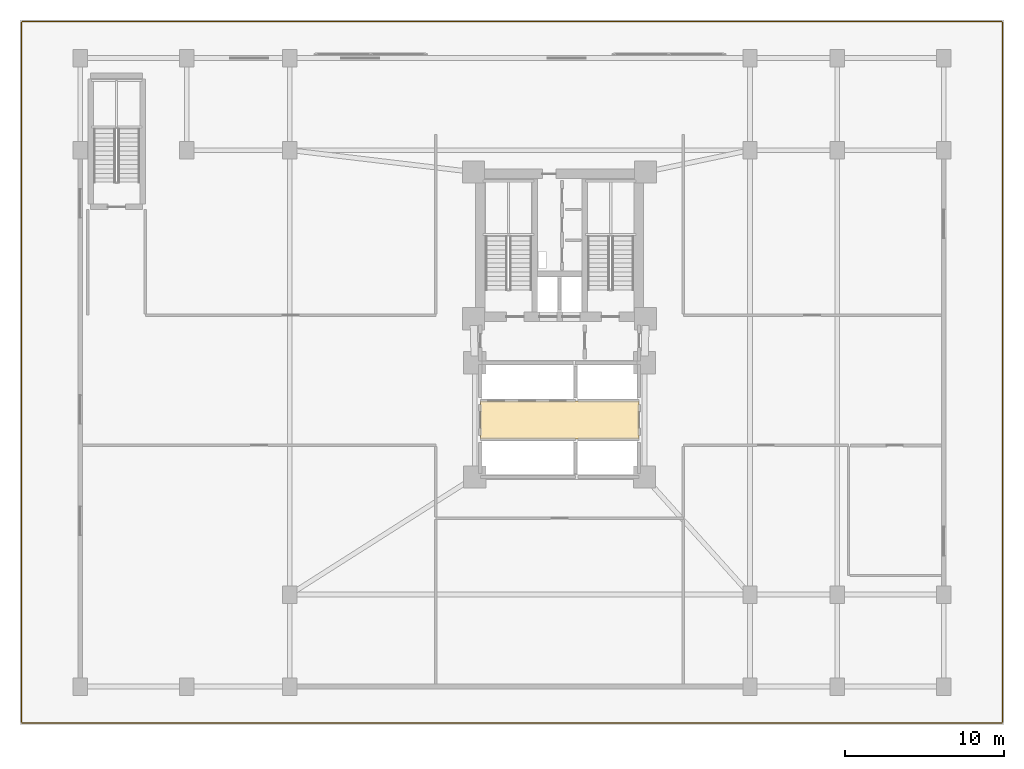
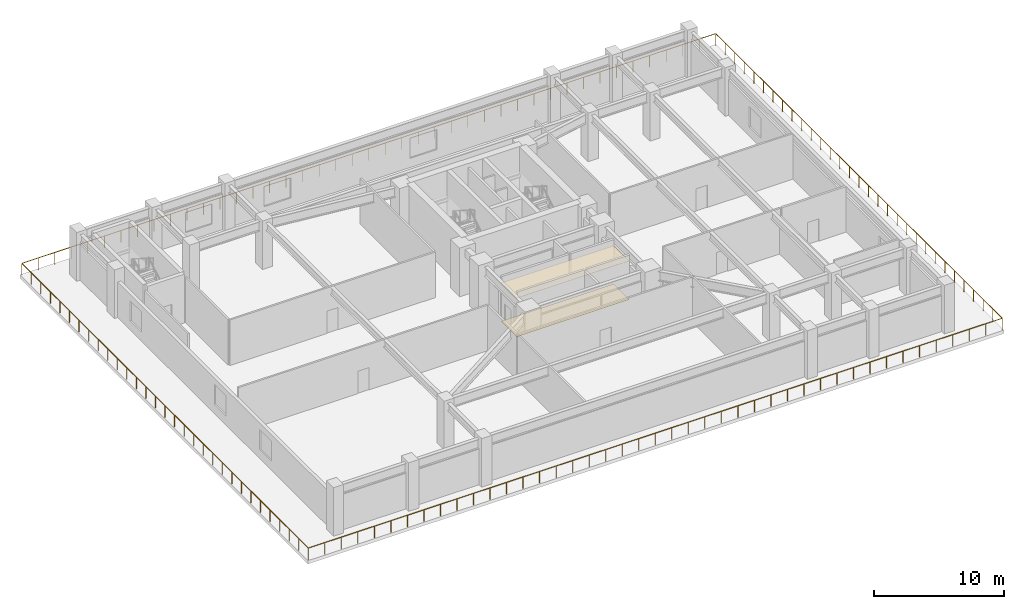
# One storey, part 9 of 10: 2 coverings, 1 railing.
"""IFC4 building model written with IfcOpenShell, lengths in metres."""

from ifc_helpers import new_model, si_unit, direction, frame, origin, origin_2d, place, context, subcontext, project, spatial, polyline, rectangle, outline, extrude, material, layer, layer_set, type_object, element, save


model = new_model("IFC4")

# Units and contexts
model_context = context("Model", 3, precision=1e-05, world=origin(), true_north=direction((0.0, 1.0)))
body_context = subcontext(model_context, "Body", "Model", "MODEL_VIEW")
ifc_project = project(units=[si_unit("LENGTHUNIT", "METRE"), si_unit("AREAUNIT", "SQUARE_METRE"), si_unit("VOLUMEUNIT", "CUBIC_METRE"), si_unit("PLANEANGLEUNIT", "RADIAN"), si_unit("MASSUNIT", "GRAM", prefix="KILO")], contexts=[model_context])

# Site, building, storey
site_placement = place(None, origin())
site = spatial("IfcSite", under=ifc_project, at=site_placement, CompositionType="ELEMENT")
building_placement = place(site_placement, origin())
building = spatial("IfcBuilding", under=site, at=building_placement, Name="Varnakorn Sky Granary", CompositionType="ELEMENT")
storey_placement = place(building_placement, frame((0.0, 0.0, 13.800048828125)))
storey = spatial("IfcBuildingStorey", under=building, at=storey_placement, Name="L03", CompositionType="ELEMENT", Elevation=13.800048828125)

# Coverings
ifc_material_1 = material(Name="Perforated Acoustic Mineral-Fibre Ceiling", Category="gypsum")
ifc_layer_1 = layer(ifc_material_1, 0.02001953125, Name="Perforated Acoustic Mineral-Fibre Ceiling")
ifc_layer_set_1 = layer_set([ifc_layer_1], Name="Perforated Acoustic Mineral-Fibre Ceiling")
covering_type_1 = type_object("IfcCoveringType", Name="CV-CEIL-20", PredefinedType="CEILING", material=ifc_layer_set_1)
covering_1_placement = place(storey_placement, frame((0.0, 0.0, 3.6298828125)))
element("IfcCovering", 1, at=covering_1_placement, inside=storey, type_object=covering_type_1, Name="Lift Lobby Perforated Acoustic Ceiling L03", PredefinedType="CEILING", context=body_context, shape_type="SweptSolid", body=[
    extrude(outline(polyline([(-2.0, -4.199951171875), (8.0, -4.199951171875), (8.0, -1.800048828125), (-2.0, -1.800048828125), (-2.0, -4.199951171875)])), origin(), (0.0, 0.0, 1.0), 0.02001953125),
])
ifc_material_2 = material(Name="Honed Epoxy Terrazzo Topping", Category="concrete")
ifc_layer_2 = layer(ifc_material_2, 0.030029296875, Name="Honed Epoxy Terrazzo Topping")
ifc_layer_set_2 = layer_set([ifc_layer_2], Name="Honed Epoxy Terrazzo Topping")
covering_type_2 = type_object("IfcCoveringType", Name="CV-FLOR-30", PredefinedType="FLOORING", material=ifc_layer_set_2)
covering_2_placement = place(storey_placement, origin())
element("IfcCovering", 2, at=covering_2_placement, inside=storey, type_object=covering_type_2, Name="Lift Lobby Terrazzo Floor Finish L03", PredefinedType="FLOORING", context=body_context, shape_type="SweptSolid", body=[
    extrude(outline(polyline([(-2.0, -4.199951171875), (8.0, -4.199951171875), (8.0, -1.800048828125), (-2.0, -1.800048828125), (-2.0, -4.199951171875)])), origin(), (0.0, 0.0, 1.0), 0.030029296875),
])

# Railing
ifc_material_3 = material(Name="Anodised Bronze Aluminium Alloy 6063-T6", Category="aluminium")
railing_type = type_object("IfcRailingType", Name="RL-BAL-1120", PredefinedType="BALUSTRADE", material=ifc_material_3)
railing_placement = place(storey_placement, frame((-30.89990234375, -22.10009765625, 0.0)))
element("IfcRailing", 3, at=railing_placement, inside=storey, type_object=railing_type, Name="Podium Slab Edge Safety Guard L03", PredefinedType="BALUSTRADE", context=body_context, shape_type="SweptSolid", body=[
    extrude(rectangle(XDim=0.048095703125, YDim=0.048095703125, at=origin_2d()), frame((0.028076171875, 0.0, 1.09619140625), z_axis=(1.0, 0.0, 0.0), x_axis=(0.0, 1.0, 0.0)), (0.0, 0.0, 1.0), 61.743896484375),
    extrude(rectangle(XDim=0.048095703125, YDim=0.048095703125, at=origin_2d()), frame((61.7998046875, 0.028076171875, 1.09619140625), z_axis=(0.0, 1.0, 0.0), x_axis=(-1.0, 0.0, 0.0)), (0.0, 0.0, 1.0), 44.144287109375),
    extrude(rectangle(XDim=0.048095703125, YDim=0.048095703125, at=origin_2d()), frame((61.771728515625, 44.2001953125, 1.09619140625), z_axis=(-1.0, 0.0, 0.0), x_axis=(0.0, -1.0, 0.0)), (0.0, 0.0, 1.0), 61.743896484375),
    extrude(rectangle(XDim=0.048095703125, YDim=0.048095703125, at=origin_2d()), frame((0.0, 44.172119140625, 1.09619140625), z_axis=(0.0, -1.0, 0.0), x_axis=(1.0, 0.0, 0.0)), (0.0, 0.0, 1.0), 44.144287109375),
    extrude(rectangle(XDim=0.0419921875, YDim=0.0419921875, at=origin_2d()), origin(), (0.0, 0.0, 1.0), 1.068115234375),
    extrude(rectangle(XDim=0.0419921875, YDim=0.0419921875, at=origin_2d()), frame((1.471435546875, 0.0, 0.0)), (0.0, 0.0, 1.0), 1.068115234375),
    extrude(rectangle(XDim=0.0419921875, YDim=0.0419921875, at=origin_2d()), frame((2.94287109375, 0.0, 0.0)), (0.0, 0.0, 1.0), 1.068115234375),
    extrude(rectangle(XDim=0.0419921875, YDim=0.0419921875, at=origin_2d()), frame((4.414306640625, 0.0, 0.0)), (0.0, 0.0, 1.0), 1.068115234375),
    extrude(rectangle(XDim=0.0419921875, YDim=0.0419921875, at=origin_2d()), frame((5.8857421875, 0.0, 0.0)), (0.0, 0.0, 1.0), 1.068115234375),
    extrude(rectangle(XDim=0.0419921875, YDim=0.0419921875, at=origin_2d()), frame((7.357177734375, 0.0, 0.0)), (0.0, 0.0, 1.0), 1.068115234375),
    extrude(rectangle(XDim=0.0419921875, YDim=0.0419921875, at=origin_2d()), frame((8.82861328125, 0.0, 0.0)), (0.0, 0.0, 1.0), 1.068115234375),
    extrude(rectangle(XDim=0.0419921875, YDim=0.0419921875, at=origin_2d()), frame((10.300048828125, 0.0, 0.0)), (0.0, 0.0, 1.0), 1.068115234375),
    extrude(rectangle(XDim=0.0419921875, YDim=0.0419921875, at=origin_2d()), frame((11.771484375, 0.0, 0.0)), (0.0, 0.0, 1.0), 1.068115234375),
    extrude(rectangle(XDim=0.0419921875, YDim=0.0419921875, at=origin_2d()), frame((13.242919921875, 0.0, 0.0)), (0.0, 0.0, 1.0), 1.068115234375),
    extrude(rectangle(XDim=0.0419921875, YDim=0.0419921875, at=origin_2d()), frame((14.71435546875, 0.0, 0.0)), (0.0, 0.0, 1.0), 1.068115234375),
    extrude(rectangle(XDim=0.0419921875, YDim=0.0419921875, at=origin_2d()), frame((16.185546875, 0.0, 0.0)), (0.0, 0.0, 1.0), 1.068115234375),
    extrude(rectangle(XDim=0.0419921875, YDim=0.0419921875, at=origin_2d()), frame((17.656982421875, 0.0, 0.0)), (0.0, 0.0, 1.0), 1.068115234375),
    extrude(rectangle(XDim=0.0419921875, YDim=0.0419921875, at=origin_2d()), frame((19.12841796875, 0.0, 0.0)), (0.0, 0.0, 1.0), 1.068115234375),
    extrude(rectangle(XDim=0.0419921875, YDim=0.0419921875, at=origin_2d()), frame((20.599853515625, 0.0, 0.0)), (0.0, 0.0, 1.0), 1.068115234375),
    extrude(rectangle(XDim=0.0419921875, YDim=0.0419921875, at=origin_2d()), frame((22.0712890625, 0.0, 0.0)), (0.0, 0.0, 1.0), 1.068115234375),
    extrude(rectangle(XDim=0.0419921875, YDim=0.0419921875, at=origin_2d()), frame((23.542724609375, 0.0, 0.0)), (0.0, 0.0, 1.0), 1.068115234375),
    extrude(rectangle(XDim=0.0419921875, YDim=0.0419921875, at=origin_2d()), frame((25.01416015625, 0.0, 0.0)), (0.0, 0.0, 1.0), 1.068115234375),
    extrude(rectangle(XDim=0.0419921875, YDim=0.0419921875, at=origin_2d()), frame((26.485595703125, 0.0, 0.0)), (0.0, 0.0, 1.0), 1.068115234375),
    extrude(rectangle(XDim=0.0419921875, YDim=0.0419921875, at=origin_2d()), frame((27.95703125, 0.0, 0.0)), (0.0, 0.0, 1.0), 1.068115234375),
    extrude(rectangle(XDim=0.0419921875, YDim=0.0419921875, at=origin_2d()), frame((29.428466796875, 0.0, 0.0)), (0.0, 0.0, 1.0), 1.068115234375),
    extrude(rectangle(XDim=0.0419921875, YDim=0.0419921875, at=origin_2d()), frame((30.89990234375, 0.0, 0.0)), (0.0, 0.0, 1.0), 1.068115234375),
    extrude(rectangle(XDim=0.0419921875, YDim=0.0419921875, at=origin_2d()), frame((32.371337890625, 0.0, 0.0)), (0.0, 0.0, 1.0), 1.068115234375),
    extrude(rectangle(XDim=0.0419921875, YDim=0.0419921875, at=origin_2d()), frame((33.8427734375, 0.0, 0.0)), (0.0, 0.0, 1.0), 1.068115234375),
    extrude(rectangle(XDim=0.0419921875, YDim=0.0419921875, at=origin_2d()), frame((35.314208984375, 0.0, 0.0)), (0.0, 0.0, 1.0), 1.068115234375),
    extrude(rectangle(XDim=0.0419921875, YDim=0.0419921875, at=origin_2d()), frame((36.78564453125, 0.0, 0.0)), (0.0, 0.0, 1.0), 1.068115234375),
    extrude(rectangle(XDim=0.0419921875, YDim=0.0419921875, at=origin_2d()), frame((38.257080078125, 0.0, 0.0)), (0.0, 0.0, 1.0), 1.068115234375),
    extrude(rectangle(XDim=0.0419921875, YDim=0.0419921875, at=origin_2d()), frame((39.728515625, 0.0, 0.0)), (0.0, 0.0, 1.0), 1.068115234375),
    extrude(rectangle(XDim=0.0419921875, YDim=0.0419921875, at=origin_2d()), frame((41.199951171875, 0.0, 0.0)), (0.0, 0.0, 1.0), 1.068115234375),
    extrude(rectangle(XDim=0.0419921875, YDim=0.0419921875, at=origin_2d()), frame((42.67138671875, 0.0, 0.0)), (0.0, 0.0, 1.0), 1.068115234375),
    extrude(rectangle(XDim=0.0419921875, YDim=0.0419921875, at=origin_2d()), frame((44.142822265625, 0.0, 0.0)), (0.0, 0.0, 1.0), 1.068115234375),
    extrude(rectangle(XDim=0.0419921875, YDim=0.0419921875, at=origin_2d()), frame((45.6142578125, 0.0, 0.0)), (0.0, 0.0, 1.0), 1.068115234375),
    extrude(rectangle(XDim=0.0419921875, YDim=0.0419921875, at=origin_2d()), frame((47.08544921875, 0.0, 0.0)), (0.0, 0.0, 1.0), 1.068115234375),
    extrude(rectangle(XDim=0.0419921875, YDim=0.0419921875, at=origin_2d()), frame((48.556884765625, 0.0, 0.0)), (0.0, 0.0, 1.0), 1.068115234375),
    extrude(rectangle(XDim=0.0419921875, YDim=0.0419921875, at=origin_2d()), frame((50.0283203125, 0.0, 0.0)), (0.0, 0.0, 1.0), 1.068115234375),
    extrude(rectangle(XDim=0.0419921875, YDim=0.0419921875, at=origin_2d()), frame((51.499755859375, 0.0, 0.0)), (0.0, 0.0, 1.0), 1.068115234375),
    extrude(rectangle(XDim=0.0419921875, YDim=0.0419921875, at=origin_2d()), frame((52.97119140625, 0.0, 0.0)), (0.0, 0.0, 1.0), 1.068115234375),
    extrude(rectangle(XDim=0.0419921875, YDim=0.0419921875, at=origin_2d()), frame((54.442626953125, 0.0, 0.0)), (0.0, 0.0, 1.0), 1.068115234375),
    extrude(rectangle(XDim=0.0419921875, YDim=0.0419921875, at=origin_2d()), frame((55.9140625, 0.0, 0.0)), (0.0, 0.0, 1.0), 1.068115234375),
    extrude(rectangle(XDim=0.0419921875, YDim=0.0419921875, at=origin_2d()), frame((57.385498046875, 0.0, 0.0)), (0.0, 0.0, 1.0), 1.068115234375),
    extrude(rectangle(XDim=0.0419921875, YDim=0.0419921875, at=origin_2d()), frame((58.85693359375, 0.0, 0.0)), (0.0, 0.0, 1.0), 1.068115234375),
    extrude(rectangle(XDim=0.0419921875, YDim=0.0419921875, at=origin_2d()), frame((60.328369140625, 0.0, 0.0)), (0.0, 0.0, 1.0), 1.068115234375),
    extrude(rectangle(XDim=0.0419921875, YDim=0.0419921875, at=origin_2d()), frame((61.7998046875, 0.0, 0.0)), (0.0, 0.0, 1.0), 1.068115234375),
    extrude(rectangle(XDim=0.0419921875, YDim=0.0419921875, at=origin_2d()), frame((61.7998046875, 1.473388671875, 0.0)), (0.0, 0.0, 1.0), 1.068115234375),
    extrude(rectangle(XDim=0.0419921875, YDim=0.0419921875, at=origin_2d()), frame((61.7998046875, 2.94677734375, 0.0)), (0.0, 0.0, 1.0), 1.068115234375),
    extrude(rectangle(XDim=0.0419921875, YDim=0.0419921875, at=origin_2d()), frame((61.7998046875, 4.419921875, 0.0)), (0.0, 0.0, 1.0), 1.068115234375),
    extrude(rectangle(XDim=0.0419921875, YDim=0.0419921875, at=origin_2d()), frame((61.7998046875, 5.893310546875, 0.0)), (0.0, 0.0, 1.0), 1.068115234375),
    extrude(rectangle(XDim=0.0419921875, YDim=0.0419921875, at=origin_2d()), frame((61.7998046875, 7.36669921875, 0.0)), (0.0, 0.0, 1.0), 1.068115234375),
    extrude(rectangle(XDim=0.0419921875, YDim=0.0419921875, at=origin_2d()), frame((61.7998046875, 8.840087890625, 0.0)), (0.0, 0.0, 1.0), 1.068115234375),
    extrude(rectangle(XDim=0.0419921875, YDim=0.0419921875, at=origin_2d()), frame((61.7998046875, 10.3134765625, 0.0)), (0.0, 0.0, 1.0), 1.068115234375),
    extrude(rectangle(XDim=0.0419921875, YDim=0.0419921875, at=origin_2d()), frame((61.7998046875, 11.78662109375, 0.0)), (0.0, 0.0, 1.0), 1.068115234375),
    extrude(rectangle(XDim=0.0419921875, YDim=0.0419921875, at=origin_2d()), frame((61.7998046875, 13.260009765625, 0.0)), (0.0, 0.0, 1.0), 1.068115234375),
    extrude(rectangle(XDim=0.0419921875, YDim=0.0419921875, at=origin_2d()), frame((61.7998046875, 14.7333984375, 0.0)), (0.0, 0.0, 1.0), 1.068115234375),
    extrude(rectangle(XDim=0.0419921875, YDim=0.0419921875, at=origin_2d()), frame((61.7998046875, 16.206787109375, 0.0)), (0.0, 0.0, 1.0), 1.068115234375),
    extrude(rectangle(XDim=0.0419921875, YDim=0.0419921875, at=origin_2d()), frame((61.7998046875, 17.68017578125, 0.0)), (0.0, 0.0, 1.0), 1.068115234375),
    extrude(rectangle(XDim=0.0419921875, YDim=0.0419921875, at=origin_2d()), frame((61.7998046875, 19.1533203125, 0.0)), (0.0, 0.0, 1.0), 1.068115234375),
    extrude(rectangle(XDim=0.0419921875, YDim=0.0419921875, at=origin_2d()), frame((61.7998046875, 20.626708984375, 0.0)), (0.0, 0.0, 1.0), 1.068115234375),
    extrude(rectangle(XDim=0.0419921875, YDim=0.0419921875, at=origin_2d()), frame((61.7998046875, 22.10009765625, 0.0)), (0.0, 0.0, 1.0), 1.068115234375),
    extrude(rectangle(XDim=0.0419921875, YDim=0.0419921875, at=origin_2d()), frame((61.7998046875, 23.573486328125, 0.0)), (0.0, 0.0, 1.0), 1.068115234375),
    extrude(rectangle(XDim=0.0419921875, YDim=0.0419921875, at=origin_2d()), frame((61.7998046875, 25.046875, 0.0)), (0.0, 0.0, 1.0), 1.068115234375),
    extrude(rectangle(XDim=0.0419921875, YDim=0.0419921875, at=origin_2d()), frame((61.7998046875, 26.52001953125, 0.0)), (0.0, 0.0, 1.0), 1.068115234375),
    extrude(rectangle(XDim=0.0419921875, YDim=0.0419921875, at=origin_2d()), frame((61.7998046875, 27.993408203125, 0.0)), (0.0, 0.0, 1.0), 1.068115234375),
    extrude(rectangle(XDim=0.0419921875, YDim=0.0419921875, at=origin_2d()), frame((61.7998046875, 29.466796875, 0.0)), (0.0, 0.0, 1.0), 1.068115234375),
    extrude(rectangle(XDim=0.0419921875, YDim=0.0419921875, at=origin_2d()), frame((61.7998046875, 30.940185546875, 0.0)), (0.0, 0.0, 1.0), 1.068115234375),
    extrude(rectangle(XDim=0.0419921875, YDim=0.0419921875, at=origin_2d()), frame((61.7998046875, 32.41357421875, 0.0)), (0.0, 0.0, 1.0), 1.068115234375),
    extrude(rectangle(XDim=0.0419921875, YDim=0.0419921875, at=origin_2d()), frame((61.7998046875, 33.88671875, 0.0)), (0.0, 0.0, 1.0), 1.068115234375),
    extrude(rectangle(XDim=0.0419921875, YDim=0.0419921875, at=origin_2d()), frame((61.7998046875, 35.360107421875, 0.0)), (0.0, 0.0, 1.0), 1.068115234375),
    extrude(rectangle(XDim=0.0419921875, YDim=0.0419921875, at=origin_2d()), frame((61.7998046875, 36.83349609375, 0.0)), (0.0, 0.0, 1.0), 1.068115234375),
    extrude(rectangle(XDim=0.0419921875, YDim=0.0419921875, at=origin_2d()), frame((61.7998046875, 38.306884765625, 0.0)), (0.0, 0.0, 1.0), 1.068115234375),
    extrude(rectangle(XDim=0.0419921875, YDim=0.0419921875, at=origin_2d()), frame((61.7998046875, 39.7802734375, 0.0)), (0.0, 0.0, 1.0), 1.068115234375),
    extrude(rectangle(XDim=0.0419921875, YDim=0.0419921875, at=origin_2d()), frame((61.7998046875, 41.25341796875, 0.0)), (0.0, 0.0, 1.0), 1.068115234375),
    extrude(rectangle(XDim=0.0419921875, YDim=0.0419921875, at=origin_2d()), frame((61.7998046875, 42.726806640625, 0.0)), (0.0, 0.0, 1.0), 1.068115234375),
    extrude(rectangle(XDim=0.0419921875, YDim=0.0419921875, at=origin_2d()), frame((61.7998046875, 44.2001953125, 0.0)), (0.0, 0.0, 1.0), 1.068115234375),
    extrude(rectangle(XDim=0.0419921875, YDim=0.0419921875, at=origin_2d()), frame((60.328369140625, 44.2001953125, 0.0)), (0.0, 0.0, 1.0), 1.068115234375),
    extrude(rectangle(XDim=0.0419921875, YDim=0.0419921875, at=origin_2d()), frame((58.85693359375, 44.2001953125, 0.0)), (0.0, 0.0, 1.0), 1.068115234375),
    extrude(rectangle(XDim=0.0419921875, YDim=0.0419921875, at=origin_2d()), frame((57.385498046875, 44.2001953125, 0.0)), (0.0, 0.0, 1.0), 1.068115234375),
    extrude(rectangle(XDim=0.0419921875, YDim=0.0419921875, at=origin_2d()), frame((55.9140625, 44.2001953125, 0.0)), (0.0, 0.0, 1.0), 1.068115234375),
    extrude(rectangle(XDim=0.0419921875, YDim=0.0419921875, at=origin_2d()), frame((54.442626953125, 44.2001953125, 0.0)), (0.0, 0.0, 1.0), 1.068115234375),
    extrude(rectangle(XDim=0.0419921875, YDim=0.0419921875, at=origin_2d()), frame((52.97119140625, 44.2001953125, 0.0)), (0.0, 0.0, 1.0), 1.068115234375),
    extrude(rectangle(XDim=0.0419921875, YDim=0.0419921875, at=origin_2d()), frame((51.499755859375, 44.2001953125, 0.0)), (0.0, 0.0, 1.0), 1.068115234375),
    extrude(rectangle(XDim=0.0419921875, YDim=0.0419921875, at=origin_2d()), frame((50.0283203125, 44.2001953125, 0.0)), (0.0, 0.0, 1.0), 1.068115234375),
    extrude(rectangle(XDim=0.0419921875, YDim=0.0419921875, at=origin_2d()), frame((48.556884765625, 44.2001953125, 0.0)), (0.0, 0.0, 1.0), 1.068115234375),
    extrude(rectangle(XDim=0.0419921875, YDim=0.0419921875, at=origin_2d()), frame((47.08544921875, 44.2001953125, 0.0)), (0.0, 0.0, 1.0), 1.068115234375),
    extrude(rectangle(XDim=0.0419921875, YDim=0.0419921875, at=origin_2d()), frame((45.6142578125, 44.2001953125, 0.0)), (0.0, 0.0, 1.0), 1.068115234375),
    extrude(rectangle(XDim=0.0419921875, YDim=0.0419921875, at=origin_2d()), frame((44.142822265625, 44.2001953125, 0.0)), (0.0, 0.0, 1.0), 1.068115234375),
    extrude(rectangle(XDim=0.0419921875, YDim=0.0419921875, at=origin_2d()), frame((42.67138671875, 44.2001953125, 0.0)), (0.0, 0.0, 1.0), 1.068115234375),
    extrude(rectangle(XDim=0.0419921875, YDim=0.0419921875, at=origin_2d()), frame((41.199951171875, 44.2001953125, 0.0)), (0.0, 0.0, 1.0), 1.068115234375),
    extrude(rectangle(XDim=0.0419921875, YDim=0.0419921875, at=origin_2d()), frame((39.728515625, 44.2001953125, 0.0)), (0.0, 0.0, 1.0), 1.068115234375),
    extrude(rectangle(XDim=0.0419921875, YDim=0.0419921875, at=origin_2d()), frame((38.257080078125, 44.2001953125, 0.0)), (0.0, 0.0, 1.0), 1.068115234375),
    extrude(rectangle(XDim=0.0419921875, YDim=0.0419921875, at=origin_2d()), frame((36.78564453125, 44.2001953125, 0.0)), (0.0, 0.0, 1.0), 1.068115234375),
    extrude(rectangle(XDim=0.0419921875, YDim=0.0419921875, at=origin_2d()), frame((35.314208984375, 44.2001953125, 0.0)), (0.0, 0.0, 1.0), 1.068115234375),
    extrude(rectangle(XDim=0.0419921875, YDim=0.0419921875, at=origin_2d()), frame((33.8427734375, 44.2001953125, 0.0)), (0.0, 0.0, 1.0), 1.068115234375),
    extrude(rectangle(XDim=0.0419921875, YDim=0.0419921875, at=origin_2d()), frame((32.371337890625, 44.2001953125, 0.0)), (0.0, 0.0, 1.0), 1.068115234375),
    extrude(rectangle(XDim=0.0419921875, YDim=0.0419921875, at=origin_2d()), frame((30.89990234375, 44.2001953125, 0.0)), (0.0, 0.0, 1.0), 1.068115234375),
    extrude(rectangle(XDim=0.0419921875, YDim=0.0419921875, at=origin_2d()), frame((29.428466796875, 44.2001953125, 0.0)), (0.0, 0.0, 1.0), 1.068115234375),
    extrude(rectangle(XDim=0.0419921875, YDim=0.0419921875, at=origin_2d()), frame((27.95703125, 44.2001953125, 0.0)), (0.0, 0.0, 1.0), 1.068115234375),
    extrude(rectangle(XDim=0.0419921875, YDim=0.0419921875, at=origin_2d()), frame((26.485595703125, 44.2001953125, 0.0)), (0.0, 0.0, 1.0), 1.068115234375),
    extrude(rectangle(XDim=0.0419921875, YDim=0.0419921875, at=origin_2d()), frame((25.01416015625, 44.2001953125, 0.0)), (0.0, 0.0, 1.0), 1.068115234375),
    extrude(rectangle(XDim=0.0419921875, YDim=0.0419921875, at=origin_2d()), frame((23.542724609375, 44.2001953125, 0.0)), (0.0, 0.0, 1.0), 1.068115234375),
    extrude(rectangle(XDim=0.0419921875, YDim=0.0419921875, at=origin_2d()), frame((22.0712890625, 44.2001953125, 0.0)), (0.0, 0.0, 1.0), 1.068115234375),
    extrude(rectangle(XDim=0.0419921875, YDim=0.0419921875, at=origin_2d()), frame((20.599853515625, 44.2001953125, 0.0)), (0.0, 0.0, 1.0), 1.068115234375),
    extrude(rectangle(XDim=0.0419921875, YDim=0.0419921875, at=origin_2d()), frame((19.12841796875, 44.2001953125, 0.0)), (0.0, 0.0, 1.0), 1.068115234375),
    extrude(rectangle(XDim=0.0419921875, YDim=0.0419921875, at=origin_2d()), frame((17.656982421875, 44.2001953125, 0.0)), (0.0, 0.0, 1.0), 1.068115234375),
    extrude(rectangle(XDim=0.0419921875, YDim=0.0419921875, at=origin_2d()), frame((16.185546875, 44.2001953125, 0.0)), (0.0, 0.0, 1.0), 1.068115234375),
    extrude(rectangle(XDim=0.0419921875, YDim=0.0419921875, at=origin_2d()), frame((14.71435546875, 44.2001953125, 0.0)), (0.0, 0.0, 1.0), 1.068115234375),
    extrude(rectangle(XDim=0.0419921875, YDim=0.0419921875, at=origin_2d()), frame((13.242919921875, 44.2001953125, 0.0)), (0.0, 0.0, 1.0), 1.068115234375),
    extrude(rectangle(XDim=0.0419921875, YDim=0.0419921875, at=origin_2d()), frame((11.771484375, 44.2001953125, 0.0)), (0.0, 0.0, 1.0), 1.068115234375),
    extrude(rectangle(XDim=0.0419921875, YDim=0.0419921875, at=origin_2d()), frame((10.300048828125, 44.2001953125, 0.0)), (0.0, 0.0, 1.0), 1.068115234375),
    extrude(rectangle(XDim=0.0419921875, YDim=0.0419921875, at=origin_2d()), frame((8.82861328125, 44.2001953125, 0.0)), (0.0, 0.0, 1.0), 1.068115234375),
    extrude(rectangle(XDim=0.0419921875, YDim=0.0419921875, at=origin_2d()), frame((7.357177734375, 44.2001953125, 0.0)), (0.0, 0.0, 1.0), 1.068115234375),
    extrude(rectangle(XDim=0.0419921875, YDim=0.0419921875, at=origin_2d()), frame((5.8857421875, 44.2001953125, 0.0)), (0.0, 0.0, 1.0), 1.068115234375),
    extrude(rectangle(XDim=0.0419921875, YDim=0.0419921875, at=origin_2d()), frame((4.414306640625, 44.2001953125, 0.0)), (0.0, 0.0, 1.0), 1.068115234375),
    extrude(rectangle(XDim=0.0419921875, YDim=0.0419921875, at=origin_2d()), frame((2.94287109375, 44.2001953125, 0.0)), (0.0, 0.0, 1.0), 1.068115234375),
    extrude(rectangle(XDim=0.0419921875, YDim=0.0419921875, at=origin_2d()), frame((1.471435546875, 44.2001953125, 0.0)), (0.0, 0.0, 1.0), 1.068115234375),
    extrude(rectangle(XDim=0.0419921875, YDim=0.0419921875, at=origin_2d()), frame((0.0, 44.2001953125, 0.0)), (0.0, 0.0, 1.0), 1.068115234375),
    extrude(rectangle(XDim=0.0419921875, YDim=0.0419921875, at=origin_2d()), frame((0.0, 42.726806640625, 0.0)), (0.0, 0.0, 1.0), 1.068115234375),
    extrude(rectangle(XDim=0.0419921875, YDim=0.0419921875, at=origin_2d()), frame((0.0, 41.25341796875, 0.0)), (0.0, 0.0, 1.0), 1.068115234375),
    extrude(rectangle(XDim=0.0419921875, YDim=0.0419921875, at=origin_2d()), frame((0.0, 39.7802734375, 0.0)), (0.0, 0.0, 1.0), 1.068115234375),
    extrude(rectangle(XDim=0.0419921875, YDim=0.0419921875, at=origin_2d()), frame((0.0, 38.306884765625, 0.0)), (0.0, 0.0, 1.0), 1.068115234375),
    extrude(rectangle(XDim=0.0419921875, YDim=0.0419921875, at=origin_2d()), frame((0.0, 36.83349609375, 0.0)), (0.0, 0.0, 1.0), 1.068115234375),
    extrude(rectangle(XDim=0.0419921875, YDim=0.0419921875, at=origin_2d()), frame((0.0, 35.360107421875, 0.0)), (0.0, 0.0, 1.0), 1.068115234375),
    extrude(rectangle(XDim=0.0419921875, YDim=0.0419921875, at=origin_2d()), frame((0.0, 33.88671875, 0.0)), (0.0, 0.0, 1.0), 1.068115234375),
    extrude(rectangle(XDim=0.0419921875, YDim=0.0419921875, at=origin_2d()), frame((0.0, 32.41357421875, 0.0)), (0.0, 0.0, 1.0), 1.068115234375),
    extrude(rectangle(XDim=0.0419921875, YDim=0.0419921875, at=origin_2d()), frame((0.0, 30.940185546875, 0.0)), (0.0, 0.0, 1.0), 1.068115234375),
    extrude(rectangle(XDim=0.0419921875, YDim=0.0419921875, at=origin_2d()), frame((0.0, 29.466796875, 0.0)), (0.0, 0.0, 1.0), 1.068115234375),
    extrude(rectangle(XDim=0.0419921875, YDim=0.0419921875, at=origin_2d()), frame((0.0, 27.993408203125, 0.0)), (0.0, 0.0, 1.0), 1.068115234375),
    extrude(rectangle(XDim=0.0419921875, YDim=0.0419921875, at=origin_2d()), frame((0.0, 26.52001953125, 0.0)), (0.0, 0.0, 1.0), 1.068115234375),
    extrude(rectangle(XDim=0.0419921875, YDim=0.0419921875, at=origin_2d()), frame((0.0, 25.046875, 0.0)), (0.0, 0.0, 1.0), 1.068115234375),
    extrude(rectangle(XDim=0.0419921875, YDim=0.0419921875, at=origin_2d()), frame((0.0, 23.573486328125, 0.0)), (0.0, 0.0, 1.0), 1.068115234375),
    extrude(rectangle(XDim=0.0419921875, YDim=0.0419921875, at=origin_2d()), frame((0.0, 22.10009765625, 0.0)), (0.0, 0.0, 1.0), 1.068115234375),
    extrude(rectangle(XDim=0.0419921875, YDim=0.0419921875, at=origin_2d()), frame((0.0, 20.626708984375, 0.0)), (0.0, 0.0, 1.0), 1.068115234375),
    extrude(rectangle(XDim=0.0419921875, YDim=0.0419921875, at=origin_2d()), frame((0.0, 19.1533203125, 0.0)), (0.0, 0.0, 1.0), 1.068115234375),
    extrude(rectangle(XDim=0.0419921875, YDim=0.0419921875, at=origin_2d()), frame((0.0, 17.68017578125, 0.0)), (0.0, 0.0, 1.0), 1.068115234375),
    extrude(rectangle(XDim=0.0419921875, YDim=0.0419921875, at=origin_2d()), frame((0.0, 16.206787109375, 0.0)), (0.0, 0.0, 1.0), 1.068115234375),
    extrude(rectangle(XDim=0.0419921875, YDim=0.0419921875, at=origin_2d()), frame((0.0, 14.7333984375, 0.0)), (0.0, 0.0, 1.0), 1.068115234375),
    extrude(rectangle(XDim=0.0419921875, YDim=0.0419921875, at=origin_2d()), frame((0.0, 13.260009765625, 0.0)), (0.0, 0.0, 1.0), 1.068115234375),
    extrude(rectangle(XDim=0.0419921875, YDim=0.0419921875, at=origin_2d()), frame((0.0, 11.78662109375, 0.0)), (0.0, 0.0, 1.0), 1.068115234375),
    extrude(rectangle(XDim=0.0419921875, YDim=0.0419921875, at=origin_2d()), frame((0.0, 10.3134765625, 0.0)), (0.0, 0.0, 1.0), 1.068115234375),
    extrude(rectangle(XDim=0.0419921875, YDim=0.0419921875, at=origin_2d()), frame((0.0, 8.840087890625, 0.0)), (0.0, 0.0, 1.0), 1.068115234375),
    extrude(rectangle(XDim=0.0419921875, YDim=0.0419921875, at=origin_2d()), frame((0.0, 7.36669921875, 0.0)), (0.0, 0.0, 1.0), 1.068115234375),
    extrude(rectangle(XDim=0.0419921875, YDim=0.0419921875, at=origin_2d()), frame((0.0, 5.893310546875, 0.0)), (0.0, 0.0, 1.0), 1.068115234375),
    extrude(rectangle(XDim=0.0419921875, YDim=0.0419921875, at=origin_2d()), frame((0.0, 4.419921875, 0.0)), (0.0, 0.0, 1.0), 1.068115234375),
    extrude(rectangle(XDim=0.0419921875, YDim=0.0419921875, at=origin_2d()), frame((0.0, 2.94677734375, 0.0)), (0.0, 0.0, 1.0), 1.068115234375),
    extrude(rectangle(XDim=0.0419921875, YDim=0.0419921875, at=origin_2d()), frame((0.0, 1.473388671875, 0.0)), (0.0, 0.0, 1.0), 1.068115234375),
])

save(model, "model.ifc")
